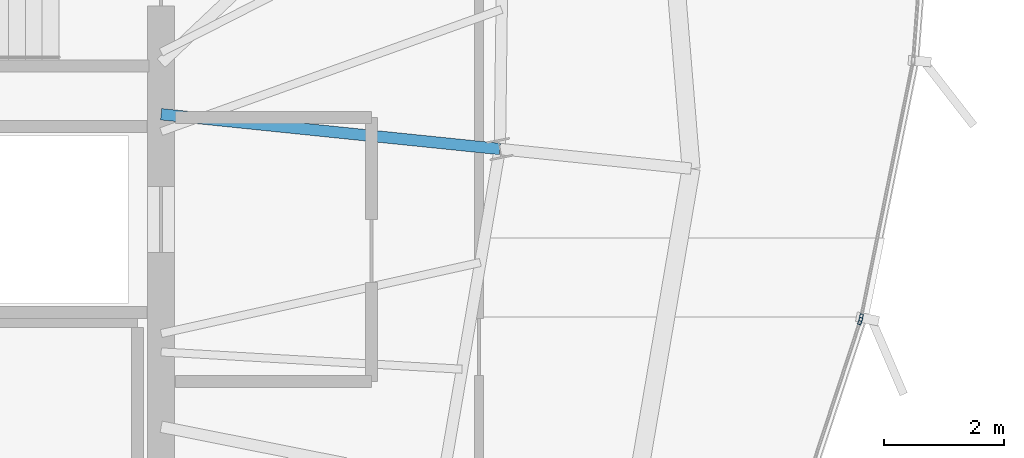
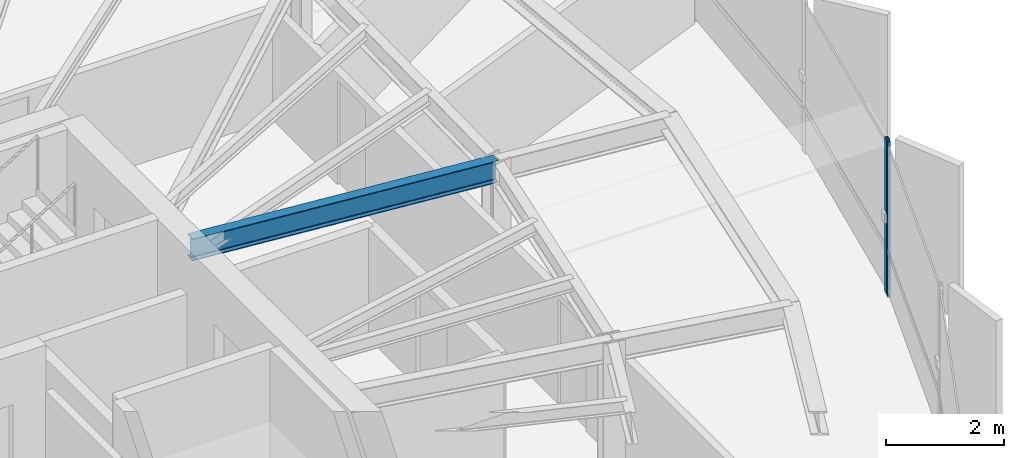
# One storey, part 16 of 35: 2 members, 1 beam, 2 elements without a shape of their own.
"""IFC4 building model written with IfcOpenShell, lengths in metres."""

import ifcopenshell
import ifcopenshell.guid

model = None  # the IFC model being written
_history = None  # IfcOwnerHistory: only IFC2X3 demands one
_inside = {}  # id of a spatial element -> (the spatial element, [elements in it])
_under = {}  # id of a project, library or spatial element -> (it, [spatial elements below it])
_declared = {}  # id of a project -> (the project, [libraries it declares])
_typed = {}  # id of a type object -> (the type object, [elements of that type])
_made_of = {}  # id of a material, layer set ... -> (it, [elements and type objects made of it])


def new_model(schema):
    """Start an empty IFC model of exactly this schema.

    Asked for "IFC4X3", IfcOpenShell would pick the latest addendum, in which some entities
    have other attributes; the version numbers below select the first issue.
    IFC2X3 requires an IfcOwnerHistory on every rooted entity: one is made here for all.
    """
    global model, _history
    if schema == "IFC4X3":
        model = ifcopenshell.file(schema_version=(4, 3, 0, 0))
    else:
        model = ifcopenshell.file(schema=schema)
    _inside.clear()
    _under.clear()
    _declared.clear()
    _typed.clear()
    _made_of.clear()
    _history = None
    if model.schema == "IFC2X3":
        org = make("IfcOrganization", Name="unknown")
        user = make(
            "IfcPersonAndOrganization",
            ThePerson=make("IfcPerson", FamilyName="unknown"),
            TheOrganization=org,
        )
        app = make(
            "IfcApplication",
            ApplicationDeveloper=org,
            Version="unknown",
            ApplicationFullName="unknown",
            ApplicationIdentifier="unknown",
        )
        _history = make(
            "IfcOwnerHistory",
            OwningUser=user,
            OwningApplication=app,
            ChangeAction="ADDED",
            CreationDate=0,
        )
    return model


def make(cls, **values):
    """One entity of the class cls with the attributes given. An attribute that is None is left unset."""
    return model.create_entity(
        cls, **{name: value for name, value in values.items() if value is not None}
    )


def rooted(cls, **values):
    """An entity with a GlobalId (a new one), such as an element, a storey or a relation."""
    return make(cls, GlobalId=ifcopenshell.guid.new(), OwnerHistory=_history, **values)


def si_unit(unit_type, name, prefix=None):
    """IfcSIUnit, for example si_unit("LENGTHUNIT", "METRE", prefix="MILLI")."""
    return make("IfcSIUnit", UnitType=unit_type, Prefix=prefix, Name=name)


def assignment(units):
    """IfcUnitAssignment: the units of a project."""
    return None if units is None else make("IfcUnitAssignment", Units=units)


def point(xyz):
    """IfcCartesianPoint."""
    return None if xyz is None else make("IfcCartesianPoint", Coordinates=xyz)


def direction(xyz):
    """IfcDirection."""
    return None if xyz is None else make("IfcDirection", DirectionRatios=xyz)


def frame(location, z_axis=None, x_axis=None):
    """IfcAxis2Placement3D, a coordinate frame: its origin and axes. An axis left out is left unset."""
    return make(
        "IfcAxis2Placement3D",
        Location=point(location),
        Axis=direction(z_axis),
        RefDirection=direction(x_axis),
    )


def frame_2d(location, x_axis=None):
    """IfcAxis2Placement2D, a coordinate frame in the plane: its origin and x axis."""
    return make(
        "IfcAxis2Placement2D", Location=point(location), RefDirection=direction(x_axis)
    )


def origin():
    """The frame at (0, 0, 0) with its axes left unset."""
    return frame((0.0, 0.0, 0.0))


def origin_2d():
    """The frame at (0, 0) in the plane with its x axis left unset."""
    return frame_2d((0.0, 0.0))


def place(relative_to, where):
    """IfcLocalPlacement: puts the frame where relative to a parent placement (None: the world)."""
    return make(
        "IfcLocalPlacement", PlacementRelTo=relative_to, RelativePlacement=where
    )


def context(
    kind, dimensions, precision=None, world=None, true_north=None, identifier=None
):
    """IfcGeometricRepresentationContext, for example the 3D "Model" context."""
    return make(
        "IfcGeometricRepresentationContext",
        ContextIdentifier=identifier,
        ContextType=kind,
        CoordinateSpaceDimension=dimensions,
        Precision=precision,
        WorldCoordinateSystem=world,
        TrueNorth=true_north,
    )


def subcontext(parent, identifier, kind, view, scale=None):
    """IfcGeometricRepresentationSubContext, for example "Body" below "Model"."""
    return make(
        "IfcGeometricRepresentationSubContext",
        ContextIdentifier=identifier,
        ContextType=kind,
        ParentContext=parent,
        TargetScale=scale,
        TargetView=view,
    )


def project(units=None, contexts=None):
    """IfcProject with its units and contexts."""
    return rooted(
        "IfcProject",
        Name="project",
        RepresentationContexts=contexts,
        UnitsInContext=assignment(units),
    )


def spatial(cls, under=None, at=None, **own):
    """A site, building, storey or space (cls), placed at a placement, below another one or the project."""
    s = rooted(cls, ObjectPlacement=at, **own)
    if under is not None:
        _under.setdefault(under.id(), (under, []))[1].append(s)
    return s


def profile(cls, at=None, kind="AREA", **sizes):
    """A parametric profile (cls). Its sizes go by their IFC names, for example OverallWidth=200.0."""
    return make(cls, ProfileType=kind, Position=at, **sizes)


def hollow_rectangle(**sizes):
    """IfcRectangleHollowProfileDef."""
    return profile("IfcRectangleHollowProfileDef", **sizes)


def i_section(**sizes):
    """IfcIShapeProfileDef."""
    return profile("IfcIShapeProfileDef", **sizes)


def extrude(swept, where, along, depth):
    """IfcExtrudedAreaSolid: the profile swept, set in the frame where, extruded along a direction by depth."""
    return make(
        "IfcExtrudedAreaSolid",
        SweptArea=swept,
        Position=where,
        ExtrudedDirection=direction(along),
        Depth=depth,
    )


def shape(context_of_items, identifier, shape_type, items):
    """IfcShapeRepresentation: the items that make up one representation, for example the "Body"."""
    return make(
        "IfcShapeRepresentation",
        ContextOfItems=context_of_items,
        RepresentationIdentifier=identifier,
        RepresentationType=shape_type,
        Items=items,
    )


def source(mapping_origin, context_of_items, identifier, shape_type, items):
    """IfcRepresentationMap: a shape defined once, which mapped items show again and again."""
    return make(
        "IfcRepresentationMap",
        MappingOrigin=mapping_origin,
        MappedRepresentation=shape(context_of_items, identifier, shape_type, items),
    )


def transform(
    local_origin,
    x_axis=None,
    y_axis=None,
    z_axis=None,
    scale=None,
    scale2=None,
    scale3=None,
    uniform=True,
):
    """IfcCartesianTransformationOperator3D, or its non-uniform kind. x_axis, y_axis, z_axis: its Axis1, 2, 3."""
    if uniform:
        return make(
            "IfcCartesianTransformationOperator3D",
            Axis1=direction(x_axis),
            Axis2=direction(y_axis),
            LocalOrigin=point(local_origin),
            Scale=scale,
            Axis3=direction(z_axis),
        )
    return make(
        "IfcCartesianTransformationOperator3DnonUniform",
        Axis1=direction(x_axis),
        Axis2=direction(y_axis),
        LocalOrigin=point(local_origin),
        Scale=scale,
        Axis3=direction(z_axis),
        Scale2=scale2,
        Scale3=scale3,
    )


def mapped(mapping_source, mapping_target):
    """IfcMappedItem: shows the shape of a source again, moved by a transform."""
    return make(
        "IfcMappedItem", MappingSource=mapping_source, MappingTarget=mapping_target
    )


def material(Name=None, Category=None):
    """IfcMaterial."""
    return make("IfcMaterial", Name=Name, Category=Category)


def layer(
    of_material, thickness, ventilated=None, Name=None, Category=None, Priority=None
):
    """IfcMaterialLayer: one layer of a wall or slab, of a material (None: an air gap)."""
    return make(
        "IfcMaterialLayer",
        Material=of_material,
        LayerThickness=thickness,
        IsVentilated=ventilated,
        Name=Name,
        Category=Category,
        Priority=Priority,
    )


def layer_set(layers, Name=None):
    """IfcMaterialLayerSet."""
    return make("IfcMaterialLayerSet", MaterialLayers=layers, LayerSetName=Name)


def material_profile(
    of_material, cross_section, Name=None, Category=None, Priority=None
):
    """IfcMaterialProfile: a cross section and its material."""
    return make(
        "IfcMaterialProfile",
        Name=Name,
        Material=of_material,
        Profile=cross_section,
        Priority=Priority,
        Category=Category,
    )


def profile_set(profiles, Name=None, composite=None):
    """IfcMaterialProfileSet."""
    return make(
        "IfcMaterialProfileSet",
        Name=Name,
        MaterialProfiles=profiles,
        CompositeProfile=composite,
    )


def made_of(thing, what):
    """Note that an element or type object is made of a material, layer set ...; save() writes the relation."""
    if what is not None:
        _made_of.setdefault(what.id(), (what, []))[1].append(thing)
    return thing


def type_object(cls, material=None, **own):
    """A type object (cls), such as IfcWallType, which elements share."""
    return made_of(rooted(cls, **own), material)


def element(
    cls,
    number,
    at=None,
    inside=None,
    cuts=None,
    type_object=None,
    material=None,
    context=None,
    identifier="Body",
    shape_type=None,
    held_by="IfcProductDefinitionShape",
    body=None,
    shapes=None,
    **own,
):
    """One element of the class cls, such as IfcWall. Its Tag is "e" and its number.

    at: its placement. inside: the storey or other place that contains it. cuts: it is an
    opening in that element (IfcRelVoidsElement). A single representation is given by context,
    identifier, shape_type and body (its items); several are given by shapes. held_by: the class
    of the entity that holds the representations. save() writes the other relations.
    """
    e = rooted(cls, Tag="e%d" % number, ObjectPlacement=at, **own)
    if body is not None:
        shapes = [shape(context, identifier, shape_type, body)]
    if shapes is not None:
        e.Representation = make(held_by, Representations=shapes)
    if inside is not None:
        _inside.setdefault(inside.id(), (inside, []))[1].append(e)
    if cuts is not None:
        rooted(
            "IfcRelVoidsElement", RelatingBuildingElement=cuts, RelatedOpeningElement=e
        )
    if type_object is not None:
        _typed.setdefault(type_object.id(), (type_object, []))[1].append(e)
    return made_of(e, material)


def aggregate(whole, parts):
    """IfcRelAggregates: a whole, such as a stair, and the parts it consists of."""
    return rooted("IfcRelAggregates", RelatingObject=whole, RelatedObjects=parts)


def save(model, path):
    """Write the relations noted so far, then the file.

    IfcRelAggregates (storeys below a building ...), IfcRelContainedInSpatialStructure (elements
    in a storey), IfcRelDefinesByType, IfcRelAssociatesMaterial and IfcRelDeclares: one each for
    every whole, place, type object, material and project.
    """
    for whole, parts in _under.values():
        aggregate(whole, parts)
    for where, things in _inside.values():
        rooted(
            "IfcRelContainedInSpatialStructure",
            RelatedElements=things,
            RelatingStructure=where,
        )
    for kind, things in _typed.values():
        rooted("IfcRelDefinesByType", RelatedObjects=things, RelatingType=kind)
    for what, things in _made_of.values():
        rooted("IfcRelAssociatesMaterial", RelatedObjects=things, RelatingMaterial=what)
    for by, libraries in _declared.values():
        rooted("IfcRelDeclares", RelatingContext=by, RelatedDefinitions=libraries)
    model.write(path)


model = new_model("IFC4")

# Units and contexts
model_context = context("Model", 3, precision=1e-05, world=origin(), true_north=direction((0.0, 1.0)))
body_context = subcontext(model_context, "Body", "Model", "MODEL_VIEW")
ifc_project = project(units=[si_unit("LENGTHUNIT", "METRE"), si_unit("AREAUNIT", "SQUARE_METRE"), si_unit("VOLUMEUNIT", "CUBIC_METRE"), si_unit("PLANEANGLEUNIT", "RADIAN"), si_unit("MASSUNIT", "GRAM", prefix="KILO"), si_unit("THERMODYNAMICTEMPERATUREUNIT", "KELVIN")], contexts=[model_context])

# Site, building, storey
site_placement = place(None, origin())
site = spatial("IfcSite", under=ifc_project, at=site_placement, CompositionType="ELEMENT")
building_placement = place(site_placement, origin())
building = spatial("IfcBuilding", under=site, at=building_placement, Name="Kethvar Cultural Tower", CompositionType="ELEMENT")
storey_placement = place(building_placement, frame((0.0, 0.0, 249.10009765625)))
storey = spatial("IfcBuildingStorey", under=building, at=storey_placement, Name="L65", CompositionType="ELEMENT", Elevation=249.10009765625)

# Beam
ifc_material_1 = material(Name="Steel S355J2", Category="steel")
ifc_material_profile_1 = material_profile(ifc_material_1, i_section(OverallWidth=0.18994140625, OverallDepth=0.449951171875, WebThickness=0.009521484375, FlangeThickness=0.0146484375, FilletRadius=0.02099609375, at=origin_2d()), Name="Steel S355J2 — IPE450")
ifc_profile_set_1 = profile_set([ifc_material_profile_1], Name="Steel S355J2 — IPE450")
beam_type = type_object("IfcBeamType", Name="BM-IPE450", PredefinedType="BEAM", material=ifc_profile_set_1)
shared_shape_1 = source(origin(), body_context, "Body", "SweptSolid", [
    extrude(i_section(OverallWidth=0.18994140625, OverallDepth=0.449951171875, WebThickness=0.009521484375, FlangeThickness=0.0146484375, FilletRadius=0.02099609375, at=origin_2d()), origin(), (0.0, 0.0, 1.0), 5.66650390625),
])
beam_placement = place(storey_placement, frame((55.60009765625, 31.25, 2.98291015625), z_axis=(0.994777513459, -0.102067128476, 0.0), x_axis=(0.102067128476, 0.994777513459, 0.0)))
element("IfcBeam", 1, at=beam_placement, inside=storey, type_object=beam_type, Name="L65 Primary Radial Beam RB-01", PredefinedType="BEAM", context=body_context, shape_type="MappedRepresentation", body=[
    mapped(shared_shape_1, transform((0.0, 0.0, 0.0), scale=1.0)),
])

# Curtain wall, member
ifc_material_2 = material(Name="Aluminium 6063-T6", Category="aluminium")
ifc_layer = layer(ifc_material_2, 0.179931640625, Name="Aluminium 6063-T6", Category="aluminium")
ifc_layer_set = layer_set([ifc_layer], Name="Aluminium 6063-T6 (180 mm)")
curtain_wall_type = type_object("IfcCurtainWallType", Name="CW-SYS-05-Z56", PredefinedType="NOTDEFINED", material=ifc_layer_set)
curtain_wall_1_placement = place(storey_placement, origin())
curtain_wall_1 = element("IfcCurtainWall", 2, at=curtain_wall_1_placement, inside=storey, type_object=curtain_wall_type, Name="L65 Curtain Wall Run 05", PredefinedType="NOTDEFINED")
ifc_material_profile_2 = material_profile(ifc_material_2, hollow_rectangle(XDim=0.054931640625, YDim=0.1201171875, WallThickness=0.00390625, at=origin_2d()), Name="Aluminium 6063-T6 — RHS120x55x4")
ifc_profile_set_2 = profile_set([ifc_material_profile_2], Name="Aluminium 6063-T6 — RHS120x55x4")
member_type = type_object("IfcMemberType", Name="CW-SYS-05-Z56-MUL", PredefinedType="MULLION", material=ifc_profile_set_2)
shared_shape_2 = source(origin(), body_context, "Body", "SweptSolid", [
    extrude(hollow_rectangle(XDim=0.054931640625, YDim=0.1201171875, WallThickness=0.00390625, at=origin_2d()), origin(), (0.0, 0.0, 1.0), 3.2099609375),
])
member_1_placement = place(storey_placement, frame((67.234375, 27.80810546875, 0.0), z_axis=(0.0, 0.0, 1.0), x_axis=(-0.949879338075, 0.312616767142, 0.0)))
member_1 = element("IfcMember", 3, at=member_1_placement, type_object=member_type, Name="CW-L65-R05 Mullion 7", PredefinedType="MULLION", context=body_context, shape_type="MappedRepresentation", body=[
    mapped(shared_shape_2, transform((0.0, 0.0, 0.0), scale=1.0)),
])
aggregate(curtain_wall_1, [member_1])

curtain_wall_2_placement = place(storey_placement, origin())
curtain_wall_2 = element("IfcCurtainWall", 4, at=curtain_wall_2_placement, inside=storey, type_object=curtain_wall_type, Name="L65 Curtain Wall Run 06", PredefinedType="NOTDEFINED")
member_2_placement = place(storey_placement, frame((67.249755859375, 27.86572265625, 0.0), z_axis=(0.0, 0.0, 1.0), x_axis=(-0.980115632585, 0.198427182518, 0.0)))
member_2 = element("IfcMember", 5, at=member_2_placement, type_object=member_type, Name="CW-L65-R06 Mullion 1", PredefinedType="MULLION", context=body_context, shape_type="MappedRepresentation", body=[
    mapped(shared_shape_2, transform((0.0, 0.0, 0.0), scale=1.0)),
])
aggregate(curtain_wall_2, [member_2])

save(model, "model.ifc")
